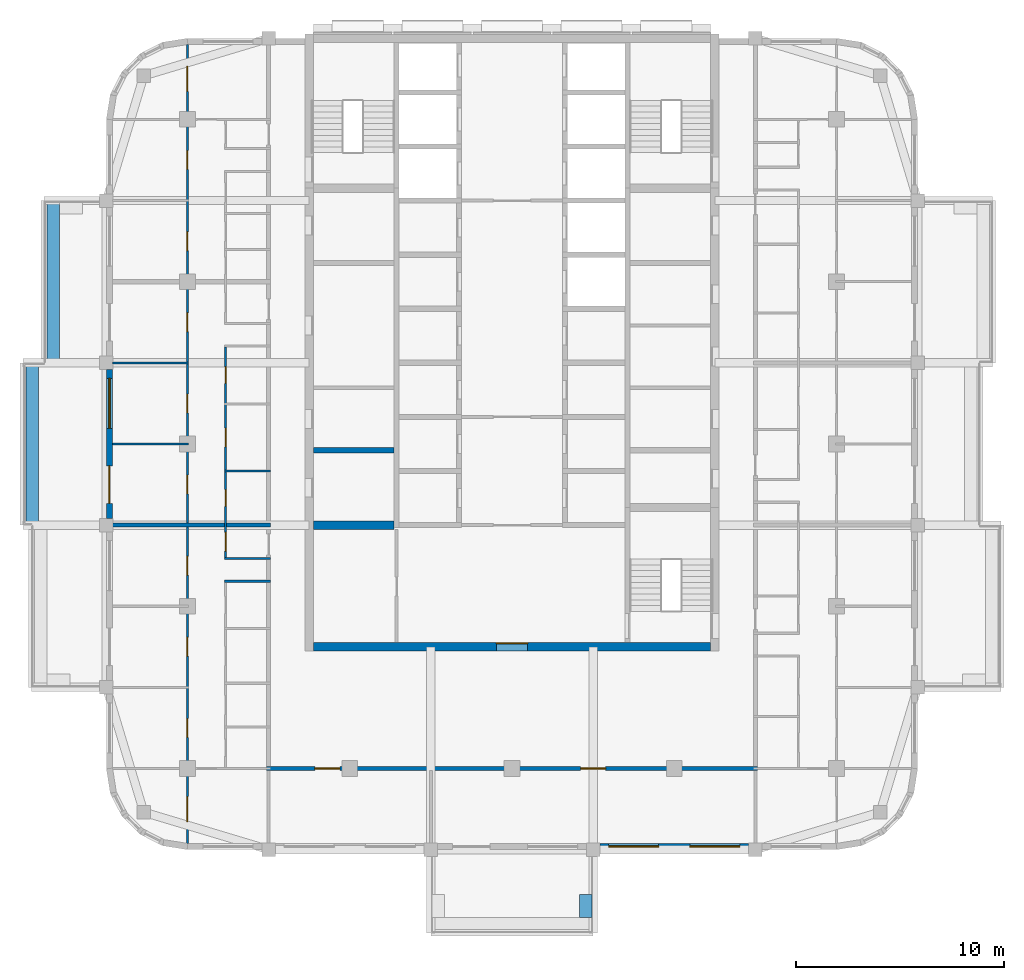
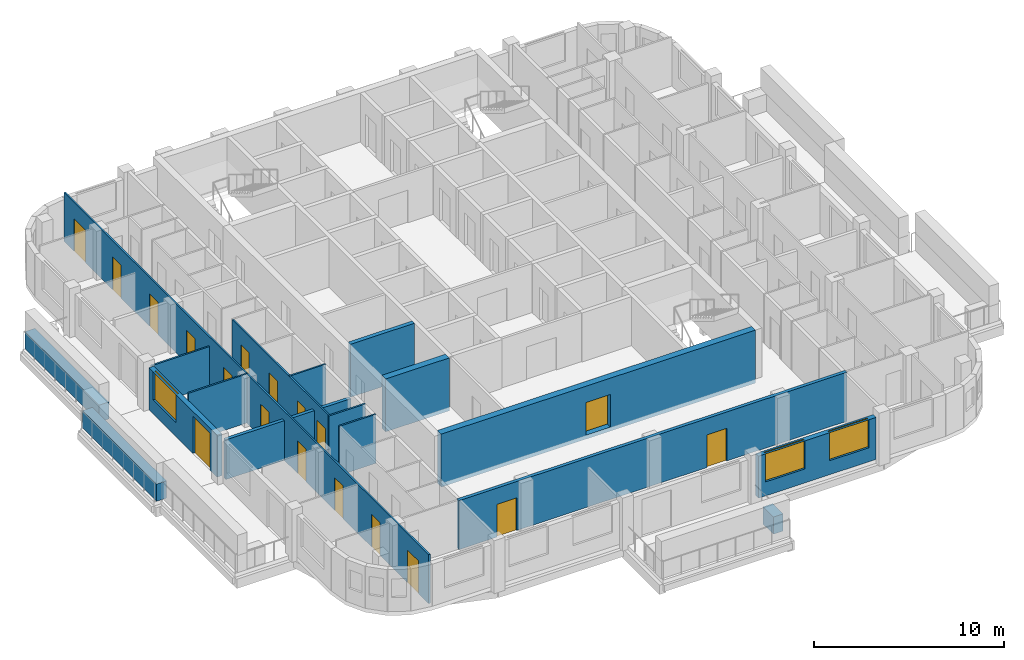
# One storey, part 3 of 13: 18 doors, 17 walls, 3 windows, 21 openings.
"""IFC4 building model written with IfcOpenShell, lengths in metres."""

from ifc_helpers import new_model, si_unit, direction, frame, frame_2d, origin, place, context, subcontext, project, spatial, rectangle, extrude, material, layer, layer_set, type_object, element, fill, save


model = new_model("IFC4")

# Units and contexts
model_context = context("Model", 3, precision=1e-05, world=origin(), true_north=direction((0.0, 1.0)))
body_context = subcontext(model_context, "Body", "Model", "MODEL_VIEW")
ifc_project = project(units=[si_unit("LENGTHUNIT", "METRE"), si_unit("AREAUNIT", "SQUARE_METRE"), si_unit("VOLUMEUNIT", "CUBIC_METRE"), si_unit("PLANEANGLEUNIT", "RADIAN"), si_unit("MASSUNIT", "GRAM", prefix="KILO")], contexts=[model_context])

# Site, building, storey
site_placement = place(None, origin())
site = spatial("IfcSite", under=ifc_project, at=site_placement, CompositionType="ELEMENT")
building_placement = place(site_placement, origin())
building = spatial("IfcBuilding", under=site, at=building_placement, Name="Ludao Terraces", CompositionType="ELEMENT")
storey_placement = place(building_placement, frame((0.0, 0.0, 252.800048828125)))
storey = spatial("IfcBuildingStorey", under=building, at=storey_placement, Name="L69", CompositionType="ELEMENT", Elevation=252.800048828125)

# Wall, opening, door
ifc_material_1 = material(Name="Concrete C50", Category="concrete")
ifc_layer_1 = layer(ifc_material_1, 0.39990234375)
ifc_layer_set_1 = layer_set([ifc_layer_1], Name="Core wall 400 C50")
wall_type_1 = type_object("IfcWallType", Name="Core wall 400 C50", PredefinedType="SOLIDWALL", material=ifc_layer_set_1)
wall_1_placement = place(storey_placement, frame((75.449951171875, 55.25, -0.25), z_axis=(0.0, 0.0, 1.0), x_axis=(1.0, 0.0, 0.0)))
wall_1 = element("IfcWall", 1, at=wall_1_placement, inside=storey, type_object=wall_type_1, Name="Core wall L69 outer-S", PredefinedType="SOLIDWALL", context=body_context, shape_type="SweptSolid", body=[
    extrude(rectangle(XDim=19.10009765625, YDim=0.39990234375, at=frame_2d((9.550048828125, 0.0))), origin(), (0.0, 0.0, 1.0), 3.39990234375),
])
opening_1_placement = place(wall_1_placement, frame((8.800048828125, 0.0, 0.25)))
opening_1 = element("IfcOpeningElement", 2, at=opening_1_placement, cuts=wall_1, Name="Opening R25-015", PredefinedType="OPENING", context=body_context, shape_type="SweptSolid", body=[
    extrude(rectangle(XDim=1.5, YDim=2.10009765625, at=frame_2d((0.75, 1.050048828125))), frame((0.0, 0.2099609375, 0.0), z_axis=(0.0, -1.0, 0.0), x_axis=(1.0, 0.0, 0.0)), (0.0, 0.0, 1.0), 0.419921875),
])
ifc_material_2 = material(Name="Steel Q235", Category="steel")
door_type_1 = type_object("IfcDoorType", Name="INT Lobby door 1500", OperationType="DOUBLE_DOOR_SINGLE_SWING", PredefinedType="DOOR", material=ifc_material_2)
door_1_placement = place(opening_1_placement, origin())
door_1 = element("IfcDoor", 3, at=door_1_placement, inside=storey, type_object=door_type_1, Name="DOOR 015", OperationType="DOUBLE_DOOR_SINGLE_SWING", OverallHeight=2.10009765625, OverallWidth=1.5, PredefinedType="DOOR", context=body_context, shape_type="SweptSolid", body=[
    extrude(rectangle(XDim=1.5, YDim=2.10009765625, at=frame_2d((0.75, 1.050048828125))), frame((0.0, 0.18505859375, 0.0), z_axis=(0.0, -1.0, 0.0), x_axis=(1.0, 0.0, 0.0)), (0.0, 0.0, 1.0), 0.050048828125),
])
fill(opening_1, door_1)

# Walls
ifc_material_3 = material(Name="Concrete C40", Category="concrete")
ifc_layer_2 = layer(ifc_material_3, 0.60009765625)
ifc_layer_set_2 = layer_set([ifc_layer_2], Name="ENV Planter trough 600")
wall_type_2 = type_object("IfcWallType", Name="ENV Planter trough 600", PredefinedType="USERDEFINED", material=ifc_layer_set_2)
wall_2_placement = place(storey_placement, frame((88.550048828125, 42.25, 0.0), z_axis=(0.0, 0.0, 1.0), x_axis=(0.0, 1.0, 0.0)))
element("IfcWall", 4, at=wall_2_placement, inside=storey, type_object=wall_type_2, Name="PL-L69-S1-SB", ObjectType="PLANTER", PredefinedType="USERDEFINED", context=body_context, shape_type="SweptSolid", body=[
    extrude(rectangle(XDim=1.10009765625, YDim=0.60009765625, at=frame_2d((0.550048828125, 0.0))), origin(), (0.0, 0.0, 1.0), 1.099853515625),
])
wall_3_placement = place(storey_placement, frame((61.949951171875, 61.10009765625, 0.0), z_axis=(0.0, 0.0, 1.0), x_axis=(0.0, 1.0, 0.0)))
element("IfcWall", 5, at=wall_3_placement, inside=storey, type_object=wall_type_2, Name="PL-L69-W2", ObjectType="PLANTER", PredefinedType="USERDEFINED", context=body_context, shape_type="SweptSolid", body=[
    extrude(rectangle(XDim=7.7998046875, YDim=0.60009765625, at=frame_2d((3.89990234375, 0.0))), origin(), (0.0, 0.0, 1.0), 1.099853515625),
])
wall_4_placement = place(storey_placement, frame((62.949951171875, 68.89990234375, 0.0), z_axis=(0.0, 0.0, 1.0), x_axis=(0.0, 1.0, 0.0)))
element("IfcWall", 6, at=wall_4_placement, inside=storey, type_object=wall_type_2, Name="PL-L69-W3", ObjectType="PLANTER", PredefinedType="USERDEFINED", context=body_context, shape_type="SweptSolid", body=[
    extrude(rectangle(XDim=7.800048828125, YDim=0.60009765625, at=frame_2d((3.89990234375, 0.0))), origin(), (0.0, 0.0, 1.0), 1.099853515625),
])

# Wall, openings, windows
ifc_material_4 = material(Name="Granite cladding", Category="masonry")
ifc_layer_3 = layer(ifc_material_4, 0.0400390625, Category="stone")
ifc_material_5 = material(Name="Mineral wool")
ifc_layer_4 = layer(ifc_material_5, 0.06005859375)
ifc_layer_5 = layer(ifc_material_3, 0.199951171875, Category="concrete")
ifc_layer_set_3 = layer_set([ifc_layer_3, ifc_layer_4, ifc_layer_5], Name="ENV Stone-clad wall 300")
wall_type_3 = type_object("IfcWallType", Name="ENV Stone-clad wall 300", PredefinedType="SOLIDWALL", material=ifc_layer_set_3)
wall_5_placement = place(storey_placement, frame((89.22509765625, 45.64990234375, 0.0), z_axis=(0.0, 0.0, 1.0), x_axis=(1.0, 0.0, 0.0)))
wall_5 = element("IfcWall", 7, at=wall_5_placement, inside=storey, type_object=wall_type_3, Name="EW-L69-S4", PredefinedType="SOLIDWALL", context=body_context, shape_type="SweptSolid", body=[
    extrude(rectangle(XDim=7.14990234375, YDim=0.300048828125, at=frame_2d((3.574951171875, 0.0))), origin(), (0.0, 0.0, 1.0), 2.699951171875),
])
opening_2_placement = place(wall_5_placement, frame((0.425048828125, 0.0, 0.89990234375)))
opening_2 = element("IfcOpeningElement", 8, at=opening_2_placement, cuts=wall_5, Name="Opening W1", PredefinedType="OPENING", context=body_context, shape_type="SweptSolid", body=[
    extrude(rectangle(XDim=2.39990234375, YDim=1.800048828125, at=frame_2d((1.199951171875, 0.89990234375))), frame((0.0, 0.16015625, 0.0), z_axis=(0.0, -1.0, 0.0), x_axis=(1.0, 0.0, 0.0)), (0.0, 0.0, 1.0), 0.320068359375),
])
opening_3_placement = place(wall_5_placement, frame((4.324951171875, 0.0, 0.89990234375)))
opening_3 = element("IfcOpeningElement", 9, at=opening_3_placement, cuts=wall_5, Name="Opening W1", PredefinedType="OPENING", context=body_context, shape_type="SweptSolid", body=[
    extrude(rectangle(XDim=2.39990234375, YDim=1.800048828125, at=frame_2d((1.199951171875, 0.89990234375))), frame((0.0, 0.16015625, 0.0), z_axis=(0.0, -1.0, 0.0), x_axis=(1.0, 0.0, 0.0)), (0.0, 0.0, 1.0), 0.320068359375),
])
ifc_material_6 = material(Name="Clear glass in aluminium frame", Category="aluminium")
ifc_layer_6 = layer(ifc_material_6, 0.06005859375)
ifc_layer_set_4 = layer_set([ifc_layer_6], Name="ENV Window W1 2400x1800")
window_type = type_object("IfcWindowType", Name="ENV Window W1 2400x1800", PartitioningType="DOUBLE_PANEL_VERTICAL", PredefinedType="WINDOW", material=ifc_layer_set_4)
window_1_placement = place(opening_2_placement, origin())
window_1 = element("IfcWindow", 10, at=window_1_placement, inside=storey, type_object=window_type, Name="W-L69-S4-1", OverallHeight=1.800048828125, OverallWidth=2.39990234375, PartitioningType="DOUBLE_PANEL_VERTICAL", PredefinedType="WINDOW", context=body_context, shape_type="SweptSolid", body=[
    extrude(rectangle(XDim=2.39990234375, YDim=1.800048828125, at=frame_2d((1.199951171875, 0.89990234375))), frame((0.0, 0.030029296875, 0.0), z_axis=(0.0, -1.0, 0.0), x_axis=(1.0, 0.0, 0.0)), (0.0, 0.0, 1.0), 0.06005859375),
])
fill(opening_2, window_1)
window_2_placement = place(opening_3_placement, origin())
window_2 = element("IfcWindow", 11, at=window_2_placement, inside=storey, type_object=window_type, Name="W-L69-S4-2", OverallHeight=1.800048828125, OverallWidth=2.39990234375, PartitioningType="DOUBLE_PANEL_VERTICAL", PredefinedType="WINDOW", context=body_context, shape_type="SweptSolid", body=[
    extrude(rectangle(XDim=2.39990234375, YDim=1.800048828125, at=frame_2d((1.199951171875, 0.89990234375))), frame((0.0, 0.030029296875, 0.0), z_axis=(0.0, -1.0, 0.0), x_axis=(1.0, 0.0, 0.0)), (0.0, 0.0, 1.0), 0.06005859375),
])
fill(opening_3, window_2)

# Wall, openings, door, window
wall_6_placement = place(storey_placement, frame((65.64990234375, 61.425048828125, 0.0), z_axis=(0.0, 0.0, 1.0), x_axis=(0.0, 1.0, 0.0)))
wall_6 = element("IfcWall", 12, at=wall_6_placement, inside=storey, type_object=wall_type_3, Name="EW-L69-W3", PredefinedType="SOLIDWALL", context=body_context, shape_type="SweptSolid", body=[
    extrude(rectangle(XDim=7.14990234375, YDim=0.300048828125, at=frame_2d((3.574951171875, 0.0))), origin(), (0.0, 0.0, 1.0), 2.699951171875),
])
opening_4_placement = place(wall_6_placement, frame((0.72509765625, 0.0, 0.0)))
opening_4 = element("IfcOpeningElement", 13, at=opening_4_placement, cuts=wall_6, Name="Opening BD", PredefinedType="OPENING", context=body_context, shape_type="SweptSolid", body=[
    extrude(rectangle(XDim=1.800048828125, YDim=2.39990234375, at=frame_2d((0.89990234375, 1.199951171875))), frame((0.0, 0.16015625, 0.0), z_axis=(0.0, -1.0, 0.0), x_axis=(1.0, 0.0, 0.0)), (0.0, 0.0, 1.0), 0.320068359375),
])
opening_5_placement = place(wall_6_placement, frame((4.324951171875, 0.0, 0.89990234375)))
opening_5 = element("IfcOpeningElement", 14, at=opening_5_placement, cuts=wall_6, Name="Opening W1", PredefinedType="OPENING", context=body_context, shape_type="SweptSolid", body=[
    extrude(rectangle(XDim=2.39990234375, YDim=1.800048828125, at=frame_2d((1.199951171875, 0.89990234375))), frame((0.0, 0.16015625, 0.0), z_axis=(0.0, -1.0, 0.0), x_axis=(1.0, 0.0, 0.0)), (0.0, 0.0, 1.0), 0.320068359375),
])
ifc_material_7 = material(Name="Aluminium glazed door", Category="aluminium")
ifc_layer_7 = layer(ifc_material_7, 0.06005859375)
ifc_layer_set_5 = layer_set([ifc_layer_7], Name="ENV Balcony door BD 1800x2400")
door_type_2 = type_object("IfcDoorType", Name="ENV Balcony door BD 1800x2400", OperationType="DOUBLE_DOOR_SINGLE_SWING", PredefinedType="DOOR", material=ifc_layer_set_5)
door_2_placement = place(opening_4_placement, origin())
door_2 = element("IfcDoor", 15, at=door_2_placement, inside=storey, type_object=door_type_2, Name="BD-L69-W3-1", OperationType="DOUBLE_DOOR_SINGLE_SWING", OverallHeight=2.39990234375, OverallWidth=1.800048828125, PredefinedType="DOOR", context=body_context, shape_type="SweptSolid", body=[
    extrude(rectangle(XDim=1.800048828125, YDim=2.39990234375, at=frame_2d((0.89990234375, 1.199951171875))), frame((0.0, 0.02490234375, 0.0), z_axis=(0.0, -1.0, 0.0), x_axis=(1.0, 0.0, 0.0)), (0.0, 0.0, 1.0), 0.050048828125),
])
fill(opening_4, door_2)
window_3_placement = place(opening_5_placement, origin())
window_3 = element("IfcWindow", 16, at=window_3_placement, inside=storey, type_object=window_type, Name="W-L69-W3-2", OverallHeight=1.800048828125, OverallWidth=2.39990234375, PartitioningType="DOUBLE_PANEL_VERTICAL", PredefinedType="WINDOW", context=body_context, shape_type="SweptSolid", body=[
    extrude(rectangle(XDim=2.39990234375, YDim=1.800048828125, at=frame_2d((1.199951171875, 0.89990234375))), frame((0.0, 0.030029296875, 0.0), z_axis=(0.0, -1.0, 0.0), x_axis=(1.0, 0.0, 0.0)), (0.0, 0.0, 1.0), 0.06005859375),
])
fill(opening_5, window_3)

# Wall, openings, doors
ifc_material_8 = material(Name="Autoclaved aerated concrete block B06 A3.5", Category="concrete")
ifc_layer_8 = layer(ifc_material_8, 0.199951171875)
ifc_layer_set_6 = layer_set([ifc_layer_8], Name="INT Entrance wall 200")
wall_type_4 = type_object("IfcWallType", Name="INT Entrance wall 200", PredefinedType="PARTITIONING", material=ifc_layer_set_6)
wall_7_placement = place(storey_placement, frame((73.2001953125, 49.39990234375, 0.0), z_axis=(0.0, 0.0, 1.0), x_axis=(1.0, 0.0, 0.0)))
wall_7 = element("IfcWall", 17, at=wall_7_placement, inside=storey, type_object=wall_type_4, Name="PW-L69-PW001", PredefinedType="PARTITIONING", context=body_context, shape_type="SweptSolid", body=[
    extrude(rectangle(XDim=23.599853515625, YDim=0.199951171875, at=frame_2d((11.7998046875, 0.0))), origin(), (0.0, 0.0, 1.0), 3.14990234375),
])
opening_6_placement = place(wall_7_placement, frame((2.324951171875, 0.0, 0.0)))
opening_6 = element("IfcOpeningElement", 18, at=opening_6_placement, cuts=wall_7, Name="Opening R25-004", PredefinedType="OPENING", context=body_context, shape_type="SweptSolid", body=[
    extrude(rectangle(XDim=1.199951171875, YDim=2.10009765625, at=frame_2d((0.60009765625, 1.050048828125))), frame((0.0, 0.10986328125, 0.0), z_axis=(0.0, -1.0, 0.0), x_axis=(1.0, 0.0, 0.0)), (0.0, 0.0, 1.0), 0.219970703125),
])
opening_7_placement = place(wall_7_placement, frame((15.099853515625, 0.0, 0.0)))
opening_7 = element("IfcOpeningElement", 19, at=opening_7_placement, cuts=wall_7, Name="Opening R25-005", PredefinedType="OPENING", context=body_context, shape_type="SweptSolid", body=[
    extrude(rectangle(XDim=1.199951171875, YDim=2.10009765625, at=frame_2d((0.60009765625, 1.050048828125))), frame((0.0, 0.10986328125, 0.0), z_axis=(0.0, -1.0, 0.0), x_axis=(1.0, 0.0, 0.0)), (0.0, 0.0, 1.0), 0.219970703125),
])
ifc_material_9 = material(Name="Timber door leaf", Category="wood")
door_type_3 = type_object("IfcDoorType", Name="INT Double door 1200", OperationType="DOUBLE_DOOR_SINGLE_SWING", PredefinedType="DOOR", material=ifc_material_9)
door_3_placement = place(opening_6_placement, origin())
door_3 = element("IfcDoor", 20, at=door_3_placement, inside=storey, type_object=door_type_3, Name="DOOR 004", OperationType="DOUBLE_DOOR_SINGLE_SWING", OverallHeight=2.10009765625, OverallWidth=1.199951171875, PredefinedType="DOOR", context=body_context, shape_type="SweptSolid", body=[
    extrude(rectangle(XDim=1.199951171875, YDim=2.10009765625, at=frame_2d((0.60009765625, 1.050048828125))), frame((0.0, 0.02490234375, 0.0), z_axis=(0.0, -1.0, 0.0), x_axis=(1.0, 0.0, 0.0)), (0.0, 0.0, 1.0), 0.050048828125),
])
fill(opening_6, door_3)
door_4_placement = place(opening_7_placement, origin())
door_4 = element("IfcDoor", 21, at=door_4_placement, inside=storey, type_object=door_type_3, Name="DOOR 005", OperationType="DOUBLE_DOOR_SINGLE_SWING", OverallHeight=2.10009765625, OverallWidth=1.199951171875, PredefinedType="DOOR", context=body_context, shape_type="SweptSolid", body=[
    extrude(rectangle(XDim=1.199951171875, YDim=2.10009765625, at=frame_2d((0.60009765625, 1.050048828125))), frame((0.0, 0.02490234375, 0.0), z_axis=(0.0, -1.0, 0.0), x_axis=(1.0, 0.0, 0.0)), (0.0, 0.0, 1.0), 0.050048828125),
])
fill(opening_7, door_4)

# Walls
ifc_material_10 = material(Name="Gypsum plasterboard", Category="gypsum")
ifc_layer_9 = layer(ifc_material_10, 0.012451171875, Category="gypsum")
ifc_layer_10 = layer(ifc_material_5, 0.06005859375, Name="insulation")
ifc_layer_11 = layer(ifc_material_2, 0.014892578125, Name="stud")
ifc_layer_12 = layer(ifc_material_10, 0.012451171875, Category="gypsum")
ifc_layer_set_7 = layer_set([ifc_layer_9, ifc_layer_10, ifc_layer_11, ifc_layer_12], Name="INT Partition 100")
wall_type_5 = type_object("IfcWallType", Name="INT Partition 100", PredefinedType="PARTITIONING", material=ifc_layer_set_7)
for number, where, z_axis, x_axis, name in (
    (22, (71.18017578125, 58.39990234375, 0.0), (0.0, 0.0, 1.0), (1.0, 0.0, 0.0), "PW-L69-PW014"),
    (23, (71.18017578125, 59.5, 0.0), (0.0, 0.0, 1.0), (1.0, 0.0, 0.0), "PW-L69-PW015"),
    (24, (71.18017578125, 63.699951171875, 0.0), (0.0, 0.0, 1.0), (1.0, 0.0, 0.0), "PW-L69-PW021"),
):
    element("IfcWall", number, at=place(storey_placement, frame(where, z_axis=z_axis, x_axis=x_axis)), inside=storey, type_object=wall_type_5, Name=name, PredefinedType="PARTITIONING", context=body_context, shape_type="SweptSolid", body=[
        extrude(rectangle(XDim=2.219970703125, YDim=0.10009765625, at=frame_2d((1.10986328125, 0.0))), origin(), (0.0, 0.0, 1.0), 3.14990234375),
    ])
wall_8_placement = place(storey_placement, frame((65.800048828125, 65.0, 0.0), z_axis=(0.0, 0.0, 1.0), x_axis=(1.0, 0.0, 0.0)))
element("IfcWall", 25, at=wall_8_placement, inside=storey, type_object=wall_type_5, Name="PW-L69-PW022", PredefinedType="PARTITIONING", context=body_context, shape_type="SweptSolid", body=[
    extrude(rectangle(XDim=3.650146484375, YDim=0.10009765625, at=frame_2d((1.8251953125, 0.0))), origin(), (0.0, 0.0, 1.0), 3.14990234375),
])
wall_9_placement = place(storey_placement, frame((65.800048828125, 68.89990234375, 0.0), z_axis=(0.0, 0.0, 1.0), x_axis=(1.0, 0.0, 0.0)))
element("IfcWall", 26, at=wall_9_placement, inside=storey, type_object=wall_type_5, Name="PW-L69-PW029", PredefinedType="PARTITIONING", context=body_context, shape_type="SweptSolid", body=[
    extrude(rectangle(XDim=3.650146484375, YDim=0.10009765625, at=frame_2d((1.8251953125, 0.0))), origin(), (0.0, 0.0, 1.0), 2.5498046875),
])

# Wall, openings, doors
wall_10_placement = place(storey_placement, frame((69.39990234375, 45.800048828125, 0.0), z_axis=(0.0, 0.0, 1.0), x_axis=(0.0, 1.0, 0.0)))
wall_10 = element("IfcWall", 27, at=wall_10_placement, inside=storey, type_object=wall_type_5, Name="PW-L69-PW050", PredefinedType="PARTITIONING", context=body_context, shape_type="SweptSolid", body=[
    extrude(rectangle(XDim=38.400146484375, YDim=0.10009765625, at=frame_2d((19.2001953125, 0.0))), origin(), (0.0, 0.0, 1.0), 3.14990234375),
])
opening_8_placement = place(wall_10_placement, frame((1.050048828125, 0.0, 0.0)))
opening_8 = element("IfcOpeningElement", 28, at=opening_8_placement, cuts=wall_10, Name="Opening R25-001", PredefinedType="OPENING", context=body_context, shape_type="SweptSolid", body=[
    extrude(rectangle(XDim=1.199951171875, YDim=2.10009765625, at=frame_2d((0.60009765625, 1.050048828125))), frame((0.0, 0.06005859375, 0.0), z_axis=(0.0, -1.0, 0.0), x_axis=(1.0, 0.0, 0.0)), (0.0, 0.0, 1.0), 0.1201171875),
])
opening_9_placement = place(wall_10_placement, frame((5.10009765625, 0.0, 0.0)))
opening_9 = element("IfcOpeningElement", 29, at=opening_9_placement, cuts=wall_10, Name="Opening R25-009", PredefinedType="OPENING", context=body_context, shape_type="SweptSolid", body=[
    extrude(rectangle(XDim=0.89990234375, YDim=2.10009765625, at=frame_2d((0.449951171875, 1.050048828125))), frame((0.0, 0.06005859375, 0.0), z_axis=(0.0, -1.0, 0.0), x_axis=(1.0, 0.0, 0.0)), (0.0, 0.0, 1.0), 0.1201171875),
])
opening_10_placement = place(wall_10_placement, frame((9.0, 0.0, 0.0)))
opening_10 = element("IfcOpeningElement", 30, at=opening_10_placement, cuts=wall_10, Name="Opening R25-014", PredefinedType="OPENING", context=body_context, shape_type="SweptSolid", body=[
    extrude(rectangle(XDim=0.89990234375, YDim=2.10009765625, at=frame_2d((0.449951171875, 1.050048828125))), frame((0.0, 0.06005859375, 0.0), z_axis=(0.0, -1.0, 0.0), x_axis=(1.0, 0.0, 0.0)), (0.0, 0.0, 1.0), 0.1201171875),
])
opening_11_placement = place(wall_10_placement, frame((12.89990234375, 0.0, 0.0)))
opening_11 = element("IfcOpeningElement", 31, at=opening_11_placement, cuts=wall_10, Name="Opening R25-023", PredefinedType="OPENING", context=body_context, shape_type="SweptSolid", body=[
    extrude(rectangle(XDim=0.89990234375, YDim=2.10009765625, at=frame_2d((0.449951171875, 1.050048828125))), frame((0.0, 0.06005859375, 0.0), z_axis=(0.0, -1.0, 0.0), x_axis=(1.0, 0.0, 0.0)), (0.0, 0.0, 1.0), 0.1201171875),
])
opening_12_placement = place(wall_10_placement, frame((16.800048828125, 0.0, 0.0)))
opening_12 = element("IfcOpeningElement", 32, at=opening_12_placement, cuts=wall_10, Name="Opening R25-034", PredefinedType="OPENING", context=body_context, shape_type="SweptSolid", body=[
    extrude(rectangle(XDim=0.89990234375, YDim=2.10009765625, at=frame_2d((0.449951171875, 1.050048828125))), frame((0.0, 0.06005859375, 0.0), z_axis=(0.0, -1.0, 0.0), x_axis=(1.0, 0.0, 0.0)), (0.0, 0.0, 1.0), 0.1201171875),
])
opening_13_placement = place(wall_10_placement, frame((20.699951171875, 0.0, 0.0)))
opening_13 = element("IfcOpeningElement", 33, at=opening_13_placement, cuts=wall_10, Name="Opening R25-045", PredefinedType="OPENING", context=body_context, shape_type="SweptSolid", body=[
    extrude(rectangle(XDim=0.89990234375, YDim=2.10009765625, at=frame_2d((0.449951171875, 1.050048828125))), frame((0.0, 0.06005859375, 0.0), z_axis=(0.0, -1.0, 0.0), x_axis=(1.0, 0.0, 0.0)), (0.0, 0.0, 1.0), 0.1201171875),
])
opening_14_placement = place(wall_10_placement, frame((24.60009765625, 0.0, 0.0)))
opening_14 = element("IfcOpeningElement", 34, at=opening_14_placement, cuts=wall_10, Name="Opening R25-056", PredefinedType="OPENING", context=body_context, shape_type="SweptSolid", body=[
    extrude(rectangle(XDim=0.89990234375, YDim=2.10009765625, at=frame_2d((0.449951171875, 1.050048828125))), frame((0.0, 0.06005859375, 0.0), z_axis=(0.0, -1.0, 0.0), x_axis=(1.0, 0.0, 0.0)), (0.0, 0.0, 1.0), 0.1201171875),
])
opening_15_placement = place(wall_10_placement, frame((28.5, 0.0, 0.0)))
opening_15 = element("IfcOpeningElement", 35, at=opening_15_placement, cuts=wall_10, Name="Opening R25-065", PredefinedType="OPENING", context=body_context, shape_type="SweptSolid", body=[
    extrude(rectangle(XDim=0.89990234375, YDim=2.10009765625, at=frame_2d((0.449951171875, 1.050048828125))), frame((0.0, 0.06005859375, 0.0), z_axis=(0.0, -1.0, 0.0), x_axis=(1.0, 0.0, 0.0)), (0.0, 0.0, 1.0), 0.1201171875),
])
opening_16_placement = place(wall_10_placement, frame((32.39990234375, 0.0, 0.0)))
opening_16 = element("IfcOpeningElement", 36, at=opening_16_placement, cuts=wall_10, Name="Opening R25-080", PredefinedType="OPENING", context=body_context, shape_type="SweptSolid", body=[
    extrude(rectangle(XDim=0.89990234375, YDim=2.10009765625, at=frame_2d((0.449951171875, 1.050048828125))), frame((0.0, 0.06005859375, 0.0), z_axis=(0.0, -1.0, 0.0), x_axis=(1.0, 0.0, 0.0)), (0.0, 0.0, 1.0), 0.1201171875),
])
opening_17_placement = place(wall_10_placement, frame((36.14990234375, 0.0, 0.0)))
opening_17 = element("IfcOpeningElement", 37, at=opening_17_placement, cuts=wall_10, Name="Opening R25-090", PredefinedType="OPENING", context=body_context, shape_type="SweptSolid", body=[
    extrude(rectangle(XDim=1.199951171875, YDim=2.10009765625, at=frame_2d((0.60009765625, 1.050048828125))), frame((0.0, 0.06005859375, 0.0), z_axis=(0.0, -1.0, 0.0), x_axis=(1.0, 0.0, 0.0)), (0.0, 0.0, 1.0), 0.1201171875),
])
door_5_placement = place(opening_8_placement, origin())
door_5 = element("IfcDoor", 38, at=door_5_placement, inside=storey, type_object=door_type_3, Name="DOOR 001", OperationType="DOUBLE_DOOR_SINGLE_SWING", OverallHeight=2.10009765625, OverallWidth=1.199951171875, PredefinedType="DOOR", context=body_context, shape_type="SweptSolid", body=[
    extrude(rectangle(XDim=1.199951171875, YDim=2.10009765625, at=frame_2d((0.60009765625, 1.050048828125))), frame((0.0, 0.02490234375, 0.0), z_axis=(0.0, -1.0, 0.0), x_axis=(1.0, 0.0, 0.0)), (0.0, 0.0, 1.0), 0.050048828125),
])
fill(opening_8, door_5)
door_6_placement = place(opening_17_placement, origin())
door_6 = element("IfcDoor", 39, at=door_6_placement, inside=storey, type_object=door_type_3, Name="DOOR 090", OperationType="DOUBLE_DOOR_SINGLE_SWING", OverallHeight=2.10009765625, OverallWidth=1.199951171875, PredefinedType="DOOR", context=body_context, shape_type="SweptSolid", body=[
    extrude(rectangle(XDim=1.199951171875, YDim=2.10009765625, at=frame_2d((0.60009765625, 1.050048828125))), frame((0.0, 0.02490234375, 0.0), z_axis=(0.0, -1.0, 0.0), x_axis=(1.0, 0.0, 0.0)), (0.0, 0.0, 1.0), 0.050048828125),
])
fill(opening_17, door_6)
door_type_4 = type_object("IfcDoorType", Name="INT Room door 900", OperationType="SINGLE_SWING_LEFT", PredefinedType="DOOR", material=ifc_material_9)
door_7_placement = place(opening_9_placement, origin())
door_7 = element("IfcDoor", 40, at=door_7_placement, inside=storey, type_object=door_type_4, Name="DOOR 009", OperationType="SINGLE_SWING_RIGHT", OverallHeight=2.10009765625, OverallWidth=0.89990234375, PredefinedType="DOOR", context=body_context, shape_type="SweptSolid", body=[
    extrude(rectangle(XDim=0.89990234375, YDim=2.10009765625, at=frame_2d((0.449951171875, 1.050048828125))), frame((0.0, 0.02490234375, 0.0), z_axis=(0.0, -1.0, 0.0), x_axis=(1.0, 0.0, 0.0)), (0.0, 0.0, 1.0), 0.050048828125),
])
fill(opening_9, door_7)
door_8_placement = place(opening_10_placement, origin())
door_8 = element("IfcDoor", 41, at=door_8_placement, inside=storey, type_object=door_type_4, Name="DOOR 014", OperationType="SINGLE_SWING_LEFT", OverallHeight=2.10009765625, OverallWidth=0.89990234375, PredefinedType="DOOR", context=body_context, shape_type="SweptSolid", body=[
    extrude(rectangle(XDim=0.89990234375, YDim=2.10009765625, at=frame_2d((0.449951171875, 1.050048828125))), frame((0.0, 0.02490234375, 0.0), z_axis=(0.0, -1.0, 0.0), x_axis=(1.0, 0.0, 0.0)), (0.0, 0.0, 1.0), 0.050048828125),
])
fill(opening_10, door_8)
door_9_placement = place(opening_11_placement, origin())
door_9 = element("IfcDoor", 42, at=door_9_placement, inside=storey, type_object=door_type_4, Name="DOOR 023", OperationType="SINGLE_SWING_RIGHT", OverallHeight=2.10009765625, OverallWidth=0.89990234375, PredefinedType="DOOR", context=body_context, shape_type="SweptSolid", body=[
    extrude(rectangle(XDim=0.89990234375, YDim=2.10009765625, at=frame_2d((0.449951171875, 1.050048828125))), frame((0.0, 0.02490234375, 0.0), z_axis=(0.0, -1.0, 0.0), x_axis=(1.0, 0.0, 0.0)), (0.0, 0.0, 1.0), 0.050048828125),
])
fill(opening_11, door_9)
door_10_placement = place(opening_12_placement, origin())
door_10 = element("IfcDoor", 43, at=door_10_placement, inside=storey, type_object=door_type_4, Name="DOOR 034", OperationType="SINGLE_SWING_RIGHT", OverallHeight=2.10009765625, OverallWidth=0.89990234375, PredefinedType="DOOR", context=body_context, shape_type="SweptSolid", body=[
    extrude(rectangle(XDim=0.89990234375, YDim=2.10009765625, at=frame_2d((0.449951171875, 1.050048828125))), frame((0.0, 0.02490234375, 0.0), z_axis=(0.0, -1.0, 0.0), x_axis=(1.0, 0.0, 0.0)), (0.0, 0.0, 1.0), 0.050048828125),
])
fill(opening_12, door_10)
door_11_placement = place(opening_13_placement, origin())
door_11 = element("IfcDoor", 44, at=door_11_placement, inside=storey, type_object=door_type_4, Name="DOOR 045", OperationType="SINGLE_SWING_LEFT", OverallHeight=2.10009765625, OverallWidth=0.89990234375, PredefinedType="DOOR", context=body_context, shape_type="SweptSolid", body=[
    extrude(rectangle(XDim=0.89990234375, YDim=2.10009765625, at=frame_2d((0.449951171875, 1.050048828125))), frame((0.0, 0.02490234375, 0.0), z_axis=(0.0, -1.0, 0.0), x_axis=(1.0, 0.0, 0.0)), (0.0, 0.0, 1.0), 0.050048828125),
])
fill(opening_13, door_11)
door_12_placement = place(opening_14_placement, origin())
door_12 = element("IfcDoor", 45, at=door_12_placement, inside=storey, type_object=door_type_4, Name="DOOR 056", OperationType="SINGLE_SWING_LEFT", OverallHeight=2.10009765625, OverallWidth=0.89990234375, PredefinedType="DOOR", context=body_context, shape_type="SweptSolid", body=[
    extrude(rectangle(XDim=0.89990234375, YDim=2.10009765625, at=frame_2d((0.449951171875, 1.050048828125))), frame((0.0, 0.02490234375, 0.0), z_axis=(0.0, -1.0, 0.0), x_axis=(1.0, 0.0, 0.0)), (0.0, 0.0, 1.0), 0.050048828125),
])
fill(opening_14, door_12)
door_13_placement = place(opening_15_placement, origin())
door_13 = element("IfcDoor", 46, at=door_13_placement, inside=storey, type_object=door_type_4, Name="DOOR 065", OperationType="SINGLE_SWING_RIGHT", OverallHeight=2.10009765625, OverallWidth=0.89990234375, PredefinedType="DOOR", context=body_context, shape_type="SweptSolid", body=[
    extrude(rectangle(XDim=0.89990234375, YDim=2.10009765625, at=frame_2d((0.449951171875, 1.050048828125))), frame((0.0, 0.02490234375, 0.0), z_axis=(0.0, -1.0, 0.0), x_axis=(1.0, 0.0, 0.0)), (0.0, 0.0, 1.0), 0.050048828125),
])
fill(opening_15, door_13)
door_14_placement = place(opening_16_placement, origin())
door_14 = element("IfcDoor", 47, at=door_14_placement, inside=storey, type_object=door_type_4, Name="DOOR 080", OperationType="SINGLE_SWING_RIGHT", OverallHeight=2.10009765625, OverallWidth=0.89990234375, PredefinedType="DOOR", context=body_context, shape_type="SweptSolid", body=[
    extrude(rectangle(XDim=0.89990234375, YDim=2.10009765625, at=frame_2d((0.449951171875, 1.050048828125))), frame((0.0, 0.02490234375, 0.0), z_axis=(0.0, -1.0, 0.0), x_axis=(1.0, 0.0, 0.0)), (0.0, 0.0, 1.0), 0.050048828125),
])
fill(opening_16, door_14)

wall_11_placement = place(storey_placement, frame((71.22998046875, 59.550048828125, 0.0), z_axis=(0.0, 0.0, 1.0), x_axis=(0.0, 1.0, 0.0)))
wall_11 = element("IfcWall", 48, at=wall_11_placement, inside=storey, type_object=wall_type_5, Name="PW-L69-PW052", PredefinedType="PARTITIONING", context=body_context, shape_type="SweptSolid", body=[
    extrude(rectangle(XDim=10.10009765625, YDim=0.10009765625, at=frame_2d((5.050048828125, 0.0))), origin(), (0.0, 0.0, 1.0), 3.14990234375),
])
opening_18_placement = place(wall_11_placement, frame((0.300048828125, 0.0, 0.0)))
opening_18 = element("IfcOpeningElement", 49, at=opening_18_placement, cuts=wall_11, Name="Opening R25-027", PredefinedType="OPENING", context=body_context, shape_type="SweptSolid", body=[
    extrude(rectangle(XDim=0.89990234375, YDim=2.10009765625, at=frame_2d((0.449951171875, 1.050048828125))), frame((0.0, 0.06005859375, 0.0), z_axis=(0.0, -1.0, 0.0), x_axis=(1.0, 0.0, 0.0)), (0.0, 0.0, 1.0), 0.1201171875),
])
opening_19_placement = place(wall_11_placement, frame((2.449951171875, 0.0, 0.0)))
opening_19 = element("IfcOpeningElement", 50, at=opening_19_placement, cuts=wall_11, Name="Opening R25-030", PredefinedType="OPENING", context=body_context, shape_type="SweptSolid", body=[
    extrude(rectangle(XDim=0.800048828125, YDim=2.10009765625, at=frame_2d((0.39990234375, 1.050048828125))), frame((0.0, 0.06005859375, 0.0), z_axis=(0.0, -1.0, 0.0), x_axis=(1.0, 0.0, 0.0)), (0.0, 0.0, 1.0), 0.1201171875),
])
opening_20_placement = place(wall_11_placement, frame((5.31005859375, 0.0, 0.0)))
opening_20 = element("IfcOpeningElement", 51, at=opening_20_placement, cuts=wall_11, Name="Opening R25-041", PredefinedType="OPENING", context=body_context, shape_type="SweptSolid", body=[
    extrude(rectangle(XDim=0.89990234375, YDim=2.10009765625, at=frame_2d((0.449951171875, 1.050048828125))), frame((0.0, 0.06005859375, 0.0), z_axis=(0.0, -1.0, 0.0), x_axis=(1.0, 0.0, 0.0)), (0.0, 0.0, 1.0), 0.1201171875),
])
opening_21_placement = place(wall_11_placement, frame((8.360107421875, 0.0, 0.0)))
opening_21 = element("IfcOpeningElement", 52, at=opening_21_placement, cuts=wall_11, Name="Opening R25-050", PredefinedType="OPENING", context=body_context, shape_type="SweptSolid", body=[
    extrude(rectangle(XDim=0.800048828125, YDim=2.10009765625, at=frame_2d((0.39990234375, 1.050048828125))), frame((0.0, 0.06005859375, 0.0), z_axis=(0.0, -1.0, 0.0), x_axis=(1.0, 0.0, 0.0)), (0.0, 0.0, 1.0), 0.1201171875),
])
door_type_5 = type_object("IfcDoorType", Name="INT Bathroom door 900", OperationType="SINGLE_SWING_LEFT", PredefinedType="DOOR", material=ifc_material_9)
door_15_placement = place(opening_18_placement, origin())
door_15 = element("IfcDoor", 53, at=door_15_placement, inside=storey, type_object=door_type_5, Name="DOOR 027", OperationType="SINGLE_SWING_LEFT", OverallHeight=2.10009765625, OverallWidth=0.89990234375, PredefinedType="DOOR", context=body_context, shape_type="SweptSolid", body=[
    extrude(rectangle(XDim=0.89990234375, YDim=2.10009765625, at=frame_2d((0.449951171875, 1.050048828125))), frame((0.0, 0.02490234375, 0.0), z_axis=(0.0, -1.0, 0.0), x_axis=(1.0, 0.0, 0.0)), (0.0, 0.0, 1.0), 0.050048828125),
])
fill(opening_18, door_15)
door_16_placement = place(opening_20_placement, origin())
door_16 = element("IfcDoor", 54, at=door_16_placement, inside=storey, type_object=door_type_4, Name="DOOR 041", OperationType="SINGLE_SWING_RIGHT", OverallHeight=2.10009765625, OverallWidth=0.89990234375, PredefinedType="DOOR", context=body_context, shape_type="SweptSolid", body=[
    extrude(rectangle(XDim=0.89990234375, YDim=2.10009765625, at=frame_2d((0.449951171875, 1.050048828125))), frame((0.0, 0.02490234375, 0.0), z_axis=(0.0, -1.0, 0.0), x_axis=(1.0, 0.0, 0.0)), (0.0, 0.0, 1.0), 0.050048828125),
])
fill(opening_20, door_16)
door_type_6 = type_object("IfcDoorType", Name="INT Store door 800", OperationType="SINGLE_SWING_LEFT", PredefinedType="DOOR", material=ifc_material_9)
door_17_placement = place(opening_19_placement, origin())
door_17 = element("IfcDoor", 55, at=door_17_placement, inside=storey, type_object=door_type_6, Name="DOOR 030", OperationType="SINGLE_SWING_RIGHT", OverallHeight=2.10009765625, OverallWidth=0.800048828125, PredefinedType="DOOR", context=body_context, shape_type="SweptSolid", body=[
    extrude(rectangle(XDim=0.800048828125, YDim=2.10009765625, at=frame_2d((0.39990234375, 1.050048828125))), frame((0.0, 0.02490234375, 0.0), z_axis=(0.0, -1.0, 0.0), x_axis=(1.0, 0.0, 0.0)), (0.0, 0.0, 1.0), 0.050048828125),
])
fill(opening_19, door_17)
door_18_placement = place(opening_21_placement, origin())
door_18 = element("IfcDoor", 56, at=door_18_placement, inside=storey, type_object=door_type_6, Name="DOOR 050", OperationType="SINGLE_SWING_RIGHT", OverallHeight=2.10009765625, OverallWidth=0.800048828125, PredefinedType="DOOR", context=body_context, shape_type="SweptSolid", body=[
    extrude(rectangle(XDim=0.800048828125, YDim=2.10009765625, at=frame_2d((0.39990234375, 1.050048828125))), frame((0.0, 0.02490234375, 0.0), z_axis=(0.0, -1.0, 0.0), x_axis=(1.0, 0.0, 0.0)), (0.0, 0.0, 1.0), 0.050048828125),
])
fill(opening_21, door_18)

# Walls
ifc_layer_13 = layer(ifc_material_8, 0.199951171875)
ifc_layer_set_8 = layer_set([ifc_layer_13], Name="INT Party wall 200")
wall_type_6 = type_object("IfcWallType", Name="INT Party wall 200", PredefinedType="PARTITIONING", material=ifc_layer_set_8)
wall_12_placement = place(storey_placement, frame((65.800048828125, 61.10009765625, 0.0), z_axis=(0.0, 0.0, 1.0), x_axis=(1.0, 0.0, 0.0)))
element("IfcWall", 57, at=wall_12_placement, inside=storey, type_object=wall_type_6, Name="PW-L69-PW016", PredefinedType="PARTITIONING", context=body_context, shape_type="SweptSolid", body=[
    extrude(rectangle(XDim=7.60009765625, YDim=0.199951171875, at=frame_2d((3.800048828125, 0.0))), origin(), (0.0, 0.0, 1.0), 2.5498046875),
])
ifc_layer_14 = layer(ifc_material_1, 0.25)
ifc_layer_set_9 = layer_set([ifc_layer_14], Name="Shaft wall 250 C50")
wall_type_7 = type_object("IfcWallType", Name="Shaft wall 250 C50", PredefinedType="SOLIDWALL", material=ifc_layer_set_9)
wall_13_placement = place(storey_placement, frame((75.449951171875, 64.699951171875, -0.25), z_axis=(0.0, 0.0, 1.0), x_axis=(1.0, 0.0, 0.0)))
element("IfcWall", 58, at=wall_13_placement, inside=storey, type_object=wall_type_7, Name="Core wall L69 riser-a-W", PredefinedType="SOLIDWALL", context=body_context, shape_type="SweptSolid", body=[
    extrude(rectangle(XDim=3.875, YDim=0.25, at=frame_2d((1.9375, 0.0))), origin(), (0.0, 0.0, 1.0), 3.39990234375),
])
ifc_layer_15 = layer(ifc_material_1, 0.39990234375)
ifc_layer_set_10 = layer_set([ifc_layer_15], Name="Shaft wall 400 C50")
wall_type_8 = type_object("IfcWallType", Name="Shaft wall 400 C50", PredefinedType="SOLIDWALL", material=ifc_layer_set_10)
wall_14_placement = place(storey_placement, frame((75.449951171875, 61.10009765625, -0.25), z_axis=(0.0, 0.0, 1.0), x_axis=(1.0, 0.0, 0.0)))
element("IfcWall", 59, at=wall_14_placement, inside=storey, type_object=wall_type_8, Name="Core wall L69 hall-W", PredefinedType="SOLIDWALL", context=body_context, shape_type="SweptSolid", body=[
    extrude(rectangle(XDim=3.875, YDim=0.39990234375, at=frame_2d((1.9375, 0.0))), origin(), (0.0, 0.0, 1.0), 3.39990234375),
])

save(model, "model.ifc")
